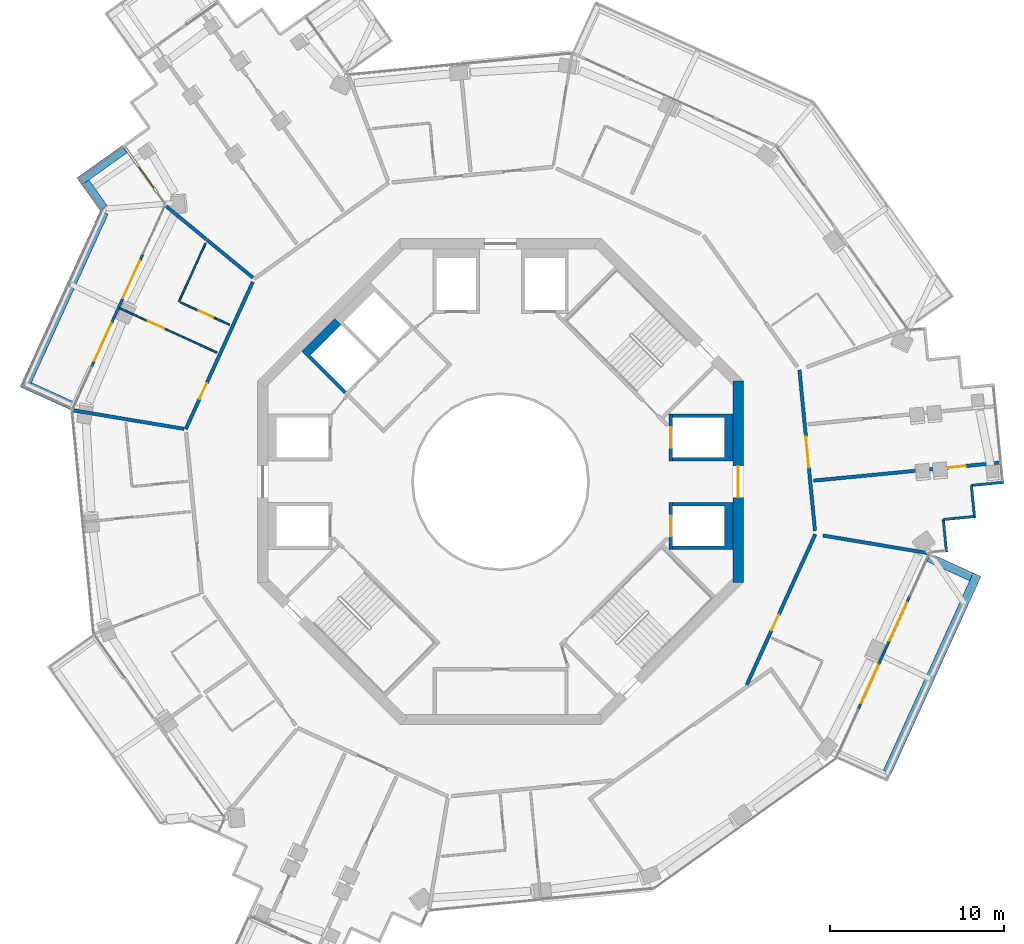
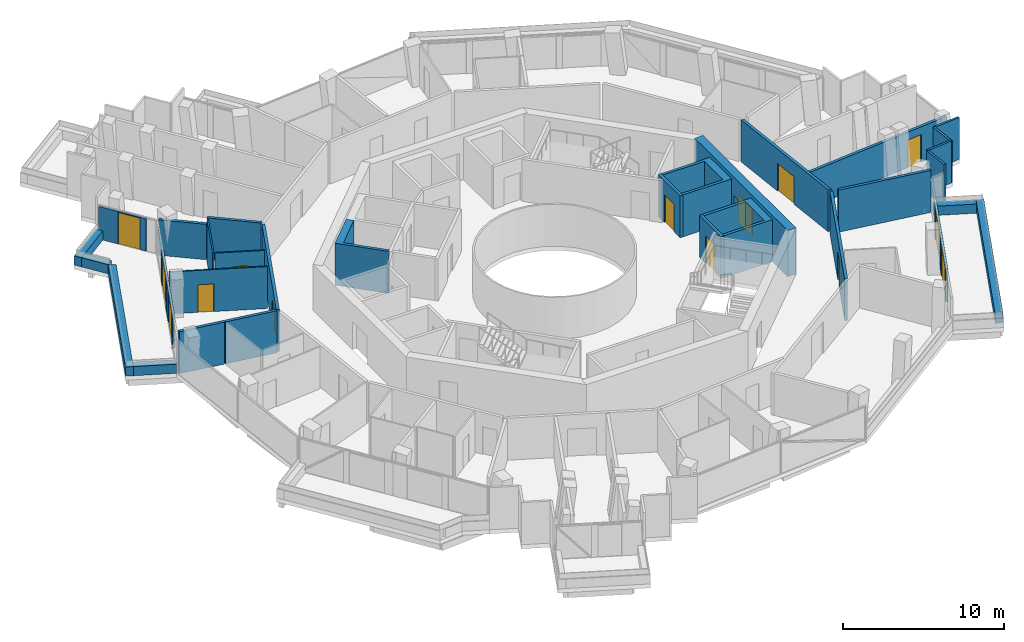
# One storey, part 17 of 22: 33 walls, 14 doors, 14 openings.
"""IFC4 building model written with IfcOpenShell, lengths in metres."""

from ifc_helpers import new_model, si_unit, direction, frame, frame_2d, origin, place, context, subcontext, project, spatial, polyline, rectangle, outline, extrude, material, layer, layer_set, type_object, element, fill, save


model = new_model("IFC4")

# Units and contexts
model_context = context("Model", 3, precision=1e-05, world=origin(), true_north=direction((0.0, 1.0)))
body_context = subcontext(model_context, "Body", "Model", "MODEL_VIEW")
ifc_project = project(units=[si_unit("LENGTHUNIT", "METRE"), si_unit("AREAUNIT", "SQUARE_METRE"), si_unit("VOLUMEUNIT", "CUBIC_METRE"), si_unit("PLANEANGLEUNIT", "RADIAN"), si_unit("MASSUNIT", "GRAM", prefix="KILO")], contexts=[model_context])

# Site, building, storey
site_placement = place(None, origin())
site = spatial("IfcSite", under=ifc_project, at=site_placement, CompositionType="ELEMENT")
building_placement = place(site_placement, origin())
building = spatial("IfcBuilding", under=site, at=building_placement, Name="Verdalira Terraces Hotel", CompositionType="ELEMENT")
storey_placement = place(building_placement, frame((0.0, 0.0, 180.0)))
storey = spatial("IfcBuildingStorey", under=building, at=storey_placement, Name="L43", CompositionType="ELEMENT", Elevation=180.0)

# Walls
ifc_material_1 = material(Name="Concrete C40", Category="concrete")
ifc_layer_1 = layer(ifc_material_1, 0.5)
ifc_layer_set_1 = layer_set([ifc_layer_1], Name="Balcony planter trough with tree")
wall_type_1 = type_object("IfcWallType", Name="Balcony planter trough with tree", PredefinedType="SOLIDWALL", material=ifc_layer_set_1)
wall_1_placement = place(storey_placement, frame((-21.660156, 19.154297, 0.0), z_axis=(0.0, 0.0, 1.0), x_axis=(-0.813882991, -0.581028808, 0.0)))
element("IfcWall", 1, at=wall_1_placement, inside=storey, type_object=wall_type_1, Name="Balcony planter", PredefinedType="SOLIDWALL", context=body_context, shape_type="SweptSolid", body=[
    extrude(rectangle(XDim=3.198975, YDim=0.5, at=frame_2d((1.599609, 0.0))), origin(), (0.0, 0.0, 1.0), 0.699951),
])
wall_2_placement = place(storey_placement, frame((-23.915039, 17.237549, 0.0), z_axis=(0.0, 0.0, 1.0), x_axis=(0.580971444, -0.813923941, 0.0)))
element("IfcWall", 2, at=wall_2_placement, inside=storey, type_object=wall_type_1, Name="Balcony planter", PredefinedType="SOLIDWALL", context=body_context, shape_type="SweptSolid", body=[
    extrude(rectangle(XDim=1.818359, YDim=0.5, at=frame_2d((0.90918, 0.0))), origin(), (0.0, 0.0, 1.0), 0.699951),
])
wall_3_placement = place(storey_placement, frame((-22.834473, 15.508789, 0.0), z_axis=(0.0, 0.0, 1.0), x_axis=(-0.41437848, -0.910104651, 0.0)))
element("IfcWall", 3, at=wall_3_placement, inside=storey, type_object=wall_type_1, Name="Balcony planter", PredefinedType="SOLIDWALL", context=body_context, shape_type="SweptSolid", body=[
    extrude(rectangle(XDim=11.152344, YDim=0.5, at=frame_2d((5.576172, 0.0))), origin(), (0.0, 0.0, 1.0), 0.699951),
])
wall_4_placement = place(storey_placement, frame((-27.124756, 5.482666, 0.0), z_axis=(0.0, 0.0, 1.0), x_axis=(0.910099871, -0.414388978, 0.0)))
element("IfcWall", 4, at=wall_4_placement, inside=storey, type_object=wall_type_1, Name="Balcony planter", PredefinedType="SOLIDWALL", context=body_context, shape_type="SweptSolid", body=[
    extrude(rectangle(XDim=2.698975, YDim=0.5, at=frame_2d((1.349609, 0.0))), origin(), (0.0, 0.0, 1.0), 0.699951),
])
wall_5_placement = place(storey_placement, frame((22.276123, -16.735107, 0.0), z_axis=(0.0, 0.0, 1.0), x_axis=(0.414378235, 0.910104762, 0.0)))
element("IfcWall", 5, at=wall_5_placement, inside=storey, type_object=wall_type_1, Name="Balcony planter", PredefinedType="SOLIDWALL", context=body_context, shape_type="SweptSolid", body=[
    extrude(rectangle(XDim=12.5, YDim=0.5, at=frame_2d((6.25, 0.0))), origin(), (0.0, 0.0, 1.0), 0.699951),
])
wall_6_placement = place(storey_placement, frame((27.124756, -5.482666, 0.0), z_axis=(0.0, 0.0, 1.0), x_axis=(-0.910099871, 0.414388978, 0.0)))
element("IfcWall", 6, at=wall_6_placement, inside=storey, type_object=wall_type_1, Name="Balcony planter", PredefinedType="SOLIDWALL", context=body_context, shape_type="SweptSolid", body=[
    extrude(rectangle(XDim=2.698975, YDim=0.5, at=frame_2d((1.349609, 0.0))), origin(), (0.0, 0.0, 1.0), 0.699951),
])

# Wall, opening, door
ifc_material_2 = material(Name="Moisture-resistant gypsum board partition")
ifc_layer_2 = layer(ifc_material_2, 0.10009765625)
ifc_layer_set_2 = layer_set([ifc_layer_2], Name="Bathroom partition 100 mm")
wall_type_2 = type_object("IfcWallType", Name="Bathroom partition 100 mm", PredefinedType="PARTITIONING", material=ifc_layer_set_2)
wall_7_placement = place(storey_placement, frame((-21.941162, 9.98999, 0.0), z_axis=(0.0, 0.0, 1.0), x_axis=(0.910095744, -0.41439804, 0.0)))
wall_7 = element("IfcWall", 7, at=wall_7_placement, inside=storey, type_object=wall_type_2, Name="Bathroom partition", PredefinedType="PARTITIONING", context=body_context, shape_type="SweptSolid", body=[
    extrude(rectangle(XDim=6.150146, YDim=0.100098, at=frame_2d((3.075195, 0.0))), origin(), (0.0, 0.0, 1.0), 3.189941),
])
opening_1_placement = place(wall_7_placement, frame((1.800049, 0.0, 0.0)))
opening_1 = element("IfcOpeningElement", 8, at=opening_1_placement, cuts=wall_7, Name="Opening L43-105", PredefinedType="OPENING", context=body_context, shape_type="SweptSolid", body=[
    extrude(rectangle(XDim=1.0, YDim=2.100098, at=frame_2d((0.5, 1.050049))), frame((0.0, 0.060059, 0.0), z_axis=(0.0, -1.0, 0.0), x_axis=(1.0, 0.0, 0.0)), (0.0, 0.0, 1.0), 0.120117),
])
ifc_material_3 = material(Name="Timber door", Category="wood")
door_type_1 = type_object("IfcDoorType", Name="Suite internal door 1000 x 2100", OperationType="NOTDEFINED", PredefinedType="DOOR", material=ifc_material_3)
door_1_placement = place(opening_1_placement, origin())
door_1 = element("IfcDoor", 9, at=door_1_placement, inside=storey, type_object=door_type_1, Name="Suite internal door 4302", OperationType="SINGLE_SWING_LEFT", OverallHeight=2.10009765625, OverallWidth=1.0, PredefinedType="DOOR", context=body_context, shape_type="SweptSolid", body=[
    extrude(rectangle(XDim=1.0, YDim=2.100098, at=frame_2d((0.5, 1.050049))), frame((0.0, 0.024902, 0.0), z_axis=(0.0, -1.0, 0.0), x_axis=(1.0, 0.0, 0.0)), (0.0, 0.0, 1.0), 0.050049),
])
fill(opening_1, door_1)

# Wall
wall_8_placement = place(storey_placement, frame((-16.99292, 13.73877, 0.0), z_axis=(0.0, 0.0, 1.0), x_axis=(-0.414354133, -0.910115736, 0.0)))
element("IfcWall", 10, at=wall_8_placement, inside=storey, type_object=wall_type_2, Name="Bathroom partition", PredefinedType="PARTITIONING", context=body_context, shape_type="SweptSolid", body=[
    extrude(rectangle(XDim=3.703857, YDim=0.100098, at=frame_2d((1.852051, 0.0))), origin(), (0.0, 0.0, 1.0), 3.189941),
])

# Wall, opening, door
wall_9_placement = place(storey_placement, frame((-18.436768, 10.326416, 0.0), z_axis=(0.0, 0.0, 1.0), x_axis=(0.910091174, -0.414408079, 0.0)))
wall_9 = element("IfcWall", 11, at=wall_9_placement, inside=storey, type_object=wall_type_2, Name="Bathroom partition", PredefinedType="PARTITIONING", context=body_context, shape_type="SweptSolid", body=[
    extrude(rectangle(XDim=3.100098, YDim=0.100098, at=frame_2d((1.550049, 0.0))), origin(), (0.0, 0.0, 1.0), 3.189941),
])
opening_2_placement = place(wall_9_placement, frame((1.149902, 0.0, 0.0)))
opening_2 = element("IfcOpeningElement", 12, at=opening_2_placement, cuts=wall_9, Name="Opening L43-106", PredefinedType="OPENING", context=body_context, shape_type="SweptSolid", body=[
    extrude(rectangle(XDim=0.899902, YDim=2.100098, at=frame_2d((0.449951, 1.050049))), frame((0.0, 0.060059, 0.0), z_axis=(0.0, -1.0, 0.0), x_axis=(1.0, 0.0, 0.0)), (0.0, 0.0, 1.0), 0.120117),
])
ifc_material_4 = material(Name="Timber door", Category="wood")
door_type_2 = type_object("IfcDoorType", Name="Bathroom door 900 x 2100", OperationType="NOTDEFINED", PredefinedType="DOOR", material=ifc_material_4)
door_2_placement = place(opening_2_placement, origin())
door_2 = element("IfcDoor", 13, at=door_2_placement, inside=storey, type_object=door_type_2, Name="Bathroom door 4302", OperationType="SINGLE_SWING_LEFT", OverallHeight=2.10009765625, OverallWidth=0.89990234375, PredefinedType="DOOR", context=body_context, shape_type="SweptSolid", body=[
    extrude(rectangle(XDim=0.899902, YDim=2.100098, at=frame_2d((0.449951, 1.050049))), frame((0.0, 0.024902, 0.0), z_axis=(0.0, -1.0, 0.0), x_axis=(1.0, 0.0, 0.0)), (0.0, 0.0, 1.0), 0.050049),
])
fill(opening_2, door_2)

# Wall
ifc_material_5 = material(Name="Concrete C50", Category="concrete")
ifc_layer_3 = layer(ifc_material_5, 0.199951171875)
ifc_layer_set_3 = layer_set([ifc_layer_3], Name="Core RC wall 200 C50")
wall_type_3 = type_object("IfcWallType", Name="Core RC wall 200 C50", PredefinedType="SOLIDWALL", material=ifc_layer_set_3)
wall_10_placement = place(storey_placement, origin())
element("IfcWall", 14, at=wall_10_placement, inside=storey, type_object=wall_type_3, Name="L43 shaft wall E1", PredefinedType="SOLIDWALL", context=body_context, shape_type="SweptSolid", body=[
    extrude(outline(polyline([(13.399902, -3.899902), (9.899902, -3.899902), (9.899902, -3.699951), (12.899902, -3.699951), (12.899902, -1.399902), (9.899902, -1.399902), (9.899902, -1.199951), (13.399902, -1.199951), (13.399902, -3.899902)])), origin(), (0.0, 0.0, 1.0), 3.189941),
])

# Wall, opening, door
wall_11_placement = place(storey_placement, frame((9.800049, -1.199951, 0.0), z_axis=(0.0, 0.0, 1.0), x_axis=(0.0, -1.0, 0.0)))
wall_11 = element("IfcWall", 15, at=wall_11_placement, inside=storey, type_object=wall_type_3, Name="L43 shaft front wall E1", PredefinedType="SOLIDWALL", context=body_context, shape_type="SweptSolid", body=[
    extrude(rectangle(XDim=2.699951, YDim=0.199951, at=frame_2d((1.350098, 0.0))), origin(), (0.0, 0.0, 1.0), 3.189941),
])
opening_3_placement = place(wall_11_placement, frame((0.75, 0.0, 0.0)))
opening_3 = element("IfcOpeningElement", 16, at=opening_3_placement, cuts=wall_11, Name="Opening LD-L43-802", PredefinedType="OPENING", context=body_context, shape_type="SweptSolid", body=[
    extrude(rectangle(XDim=1.199951, YDim=2.100098, at=frame_2d((0.600098, 1.050049))), frame((0.0, 0.109863, 0.0), z_axis=(0.0, -1.0, 0.0), x_axis=(1.0, 0.0, 0.0)), (0.0, 0.0, 1.0), 0.219971),
])
ifc_material_6 = material(Name="Stainless steel", Category="steel")
door_type_3 = type_object("IfcDoorType", Name="Landing door 1200 x 2100", OperationType="NOTDEFINED", PredefinedType="DOOR", material=ifc_material_6)
door_3_placement = place(opening_3_placement, origin())
door_3 = element("IfcDoor", 17, at=door_3_placement, inside=storey, type_object=door_type_3, Name="Lift landing door HR1 L43", OperationType="DOUBLE_DOOR_SLIDING", OverallHeight=2.10009765625, OverallWidth=1.199951171875, PredefinedType="DOOR", context=body_context, shape_type="SweptSolid", body=[
    extrude(rectangle(XDim=1.199951, YDim=2.100098, at=frame_2d((0.600098, 1.050049))), frame((0.0, 0.024902, 0.0), z_axis=(0.0, -1.0, 0.0), x_axis=(1.0, 0.0, 0.0)), (0.0, 0.0, 1.0), 0.050049),
])
fill(opening_3, door_3)

# Wall
wall_12_placement = place(storey_placement, origin())
element("IfcWall", 18, at=wall_12_placement, inside=storey, type_object=wall_type_3, Name="L43 shaft wall E2", PredefinedType="SOLIDWALL", context=body_context, shape_type="SweptSolid", body=[
    extrude(outline(polyline([(13.399902, 3.899902), (13.399902, 1.199951), (9.899902, 1.199951), (9.899902, 1.399902), (12.899902, 1.399902), (12.899902, 3.699951), (9.899902, 3.699951), (9.899902, 3.899902), (13.399902, 3.899902)])), origin(), (0.0, 0.0, 1.0), 3.189941),
])

# Wall, opening, door
wall_13_placement = place(storey_placement, frame((9.800049, 1.199951, 0.0), z_axis=(0.0, 0.0, 1.0), x_axis=(0.0, 1.0, 0.0)))
wall_13 = element("IfcWall", 19, at=wall_13_placement, inside=storey, type_object=wall_type_3, Name="L43 shaft front wall E2", PredefinedType="SOLIDWALL", context=body_context, shape_type="SweptSolid", body=[
    extrude(rectangle(XDim=2.699951, YDim=0.199951, at=frame_2d((1.350098, 0.0))), origin(), (0.0, 0.0, 1.0), 3.189941),
])
opening_4_placement = place(wall_13_placement, frame((0.75, 0.0, 0.0)))
opening_4 = element("IfcOpeningElement", 20, at=opening_4_placement, cuts=wall_13, Name="Opening LD-L43-803", PredefinedType="OPENING", context=body_context, shape_type="SweptSolid", body=[
    extrude(rectangle(XDim=1.199951, YDim=2.100098, at=frame_2d((0.600098, 1.050049))), frame((0.0, 0.109863, 0.0), z_axis=(0.0, -1.0, 0.0), x_axis=(1.0, 0.0, 0.0)), (0.0, 0.0, 1.0), 0.219971),
])
door_4_placement = place(opening_4_placement, origin())
door_4 = element("IfcDoor", 21, at=door_4_placement, inside=storey, type_object=door_type_3, Name="Lift landing door HR2 L43", OperationType="DOUBLE_DOOR_SLIDING", OverallHeight=2.10009765625, OverallWidth=1.199951171875, PredefinedType="DOOR", context=body_context, shape_type="SweptSolid", body=[
    extrude(rectangle(XDim=1.199951, YDim=2.100098, at=frame_2d((0.600098, 1.050049))), frame((0.0, 0.024902, 0.0), z_axis=(0.0, -1.0, 0.0), x_axis=(1.0, 0.0, 0.0)), (0.0, 0.0, 1.0), 0.050049),
])
fill(opening_4, door_4)

# Wall
wall_14_placement = place(storey_placement, origin())
element("IfcWall", 22, at=wall_14_placement, inside=storey, type_object=wall_type_3, Name="L43 shaft wall F2", PredefinedType="SOLIDWALL", context=body_context, shape_type="SweptSolid", body=[
    extrude(outline(polyline([(-11.455078, 7.495361), (-9.545898, 9.404541), (-9.192383, 9.051025), (-10.960205, 7.283203), (-8.874268, 5.197266), (-9.015625, 5.055908), (-11.455078, 7.495361)])), origin(), (0.0, 0.0, 1.0), 3.189941),
])

# Wall, opening, door
ifc_material_7 = material(Name="Concrete C60", Category="concrete")
ifc_layer_4 = layer(ifc_material_7, 0.60009765625)
ifc_layer_set_4 = layer_set([ifc_layer_4], Name="Core wall 600 C60")
wall_type_4 = type_object("IfcWallType", Name="Core wall 600 C60", PredefinedType="SHEAR", material=ifc_layer_set_4)
wall_15_placement = place(storey_placement, frame((13.699951, -5.799072, 0.0), z_axis=(0.0, 0.0, 1.0), x_axis=(0.0, 1.0, 0.0)))
wall_15 = element("IfcWall", 23, at=wall_15_placement, inside=storey, type_object=wall_type_4, Name="Core wall CW-L43-1", PredefinedType="SHEAR", context=body_context, shape_type="SweptSolid", body=[
    extrude(rectangle(XDim=11.598145, YDim=0.600098, at=frame_2d((5.799072, 0.0))), origin(), (0.0, 0.0, 1.0), 3.5),
])
opening_5_placement = place(wall_15_placement, frame((4.898926, 0.0, 0.0)))
opening_5 = element("IfcOpeningElement", 24, at=opening_5_placement, cuts=wall_15, Name="Opening L43-813", PredefinedType="OPENING", context=body_context, shape_type="SweptSolid", body=[
    extrude(rectangle(XDim=1.800049, YDim=2.100098, at=frame_2d((0.899902, 1.050049))), frame((0.0, 0.310059, 0.0), z_axis=(0.0, -1.0, 0.0), x_axis=(1.0, 0.0, 0.0)), (0.0, 0.0, 1.0), 0.620117),
])
ifc_material_8 = material(Name="Steel fire door", Category="steel")
door_type_4 = type_object("IfcDoorType", Name="Core entry door pair 1800 x 2100", OperationType="NOTDEFINED", PredefinedType="DOOR", material=ifc_material_8)
door_5_placement = place(opening_5_placement, origin())
door_5 = element("IfcDoor", 25, at=door_5_placement, inside=storey, type_object=door_type_4, Name="Core entry door L43 0", OperationType="DOUBLE_DOOR_SINGLE_SWING", OverallHeight=2.10009765625, OverallWidth=1.800048828125, PredefinedType="DOOR", context=body_context, shape_type="SweptSolid", body=[
    extrude(rectangle(XDim=1.800049, YDim=2.100098, at=frame_2d((0.899902, 1.050049))), frame((0.0, 0.024902, 0.0), z_axis=(0.0, -1.0, 0.0), x_axis=(1.0, 0.0, 0.0)), (0.0, 0.0, 1.0), 0.050049),
])
fill(opening_5, door_5)

# Walls
ifc_material_9 = material(Name="Fire-rated gypsum board wall")
ifc_layer_5 = layer(ifc_material_9, 0.199951171875)
ifc_layer_set_5 = layer_set([ifc_layer_5], Name="Demising wall 200 mm")
wall_type_5 = type_object("IfcWallType", Name="Demising wall 200 mm", PredefinedType="SOLIDWALL", material=ifc_layer_set_5)
wall_16_placement = place(storey_placement, frame((-21.652832, 3.615723, 0.0), z_axis=(0.0, 0.0, 1.0), x_axis=(-0.986336894, 0.1647408, 0.0)))
element("IfcWall", 26, at=wall_16_placement, inside=storey, type_object=wall_type_5, Name="Demising wall", PredefinedType="SOLIDWALL", context=body_context, shape_type="SweptSolid", body=[
    extrude(rectangle(XDim=3.011475, YDim=0.199951, at=frame_2d((1.505859, 0.0))), origin(), (0.0, 0.0, 1.0), 3.189941),
])
wall_17_placement = place(storey_placement, frame((-18.23584, 3.045166, 0.0), z_axis=(0.0, 0.0, 1.0), x_axis=(-0.986343689, 0.164700112, 0.0)))
element("IfcWall", 27, at=wall_17_placement, inside=storey, type_object=wall_type_5, Name="Demising wall", PredefinedType="SOLIDWALL", context=body_context, shape_type="SweptSolid", body=[
    extrude(rectangle(XDim=3.418213, YDim=0.199951, at=frame_2d((1.708984, 0.0))), origin(), (0.0, 0.0, 1.0), 3.189941),
])
wall_18_placement = place(storey_placement, frame((-14.27002, 11.754883, 0.0), z_axis=(0.0, 0.0, 1.0), x_axis=(-0.771849833, 0.635804872, 0.0)))
element("IfcWall", 28, at=wall_18_placement, inside=storey, type_object=wall_type_5, Name="Demising wall", PredefinedType="SOLIDWALL", context=body_context, shape_type="SweptSolid", body=[
    extrude(rectangle(XDim=3.418701, YDim=0.199951, at=frame_2d((1.709473, 0.0))), origin(), (0.0, 0.0, 1.0), 3.189941),
])
wall_19_placement = place(storey_placement, frame((24.623047, -4.111816, 0.0), z_axis=(0.0, 0.0, 1.0), x_axis=(-0.986342225, 0.16470888, 0.0)))
element("IfcWall", 29, at=wall_19_placement, inside=storey, type_object=wall_type_5, Name="Demising wall", PredefinedType="SOLIDWALL", context=body_context, shape_type="SweptSolid", body=[
    extrude(rectangle(XDim=6.13208, YDim=0.199951, at=frame_2d((3.065918, 0.0))), origin(), (0.0, 0.0, 1.0), 3.189941),
])
ifc_material_10 = material(Name="Fire-rated gypsum board wall")
ifc_layer_6 = layer(ifc_material_10, 0.199951171875)
ifc_layer_set_6 = layer_set([ifc_layer_6], Name="Demising wall 200 mm to beam soffit")
wall_type_6 = type_object("IfcWallType", Name="Demising wall 200 mm to beam soffit", PredefinedType="SOLIDWALL", material=ifc_layer_set_6)
wall_20_placement = place(storey_placement, frame((-16.944092, 13.957764, 0.0), z_axis=(0.0, 0.0, 1.0), x_axis=(-0.771850657, 0.635803871, 0.0)))
element("IfcWall", 30, at=wall_20_placement, inside=storey, type_object=wall_type_6, Name="Demising wall", PredefinedType="SOLIDWALL", context=body_context, shape_type="SweptSolid", body=[
    extrude(rectangle(XDim=3.01123, YDim=0.199951, at=frame_2d((1.505615, 0.0))), origin(), (0.0, 0.0, 1.0), 2.689941),
])

# Wall, opening, door
wall_21_placement = place(storey_placement, frame((28.736328, 1.09375, 0.0), z_axis=(0.0, 0.0, 1.0), x_axis=(-0.995361806, -0.096202259, 0.0)))
wall_21 = element("IfcWall", 31, at=wall_21_placement, inside=storey, type_object=wall_type_6, Name="Demising wall", PredefinedType="SOLIDWALL", context=body_context, shape_type="SweptSolid", body=[
    extrude(rectangle(XDim=10.75, YDim=0.199951, at=frame_2d((5.375, 0.0))), origin(), (0.0, 0.0, 1.0), 2.689941),
])
opening_6_placement = place(wall_21_placement, frame((1.949951, 0.0, 0.0)))
opening_6 = element("IfcOpeningElement", 32, at=opening_6_placement, cuts=wall_21, Name="Opening L43-123", PredefinedType="OPENING", context=body_context, shape_type="SweptSolid", body=[
    extrude(rectangle(XDim=1.0, YDim=2.100098, at=frame_2d((0.5, 1.050049))), frame((0.0, 0.109863, 0.0), z_axis=(0.0, -1.0, 0.0), x_axis=(1.0, 0.0, 0.0)), (0.0, 0.0, 1.0), 0.219971),
])
ifc_material_11 = material(Name="Timber fire door", Category="wood")
door_type_5 = type_object("IfcDoorType", Name="Public room door 1000 x 2100", OperationType="NOTDEFINED", PredefinedType="DOOR", material=ifc_material_11)
door_6_placement = place(opening_6_placement, origin())
door_6 = element("IfcDoor", 33, at=door_6_placement, inside=storey, type_object=door_type_5, Name="Public room door 4308", OperationType="SINGLE_SWING_LEFT", OverallHeight=2.10009765625, OverallWidth=1.0, PredefinedType="DOOR", context=body_context, shape_type="SweptSolid", body=[
    extrude(rectangle(XDim=1.0, YDim=2.100098, at=frame_2d((0.5, 1.050049))), frame((0.0, 0.024902, 0.0), z_axis=(0.0, -1.0, 0.0), x_axis=(1.0, 0.0, 0.0)), (0.0, 0.0, 1.0), 0.050049),
])
fill(opening_6, door_6)

ifc_material_12 = material(Name="Fire-rated gypsum board wall")
ifc_layer_7 = layer(ifc_material_12, 0.199951171875)
ifc_layer_set_7 = layer_set([ifc_layer_7], Name="Guest corridor wall 200 mm")
wall_type_7 = type_object("IfcWallType", Name="Guest corridor wall 200 mm", PredefinedType="SOLIDWALL", material=ifc_layer_set_7)
wall_22_placement = place(storey_placement, frame((-18.133789, 3.028076, 0.0), z_axis=(0.0, 0.0, 1.0), x_axis=(0.414381347, 0.910103345, 0.0)))
wall_22 = element("IfcWall", 34, at=wall_22_placement, inside=storey, type_object=wall_type_7, Name="Guest corridor wall", PredefinedType="SOLIDWALL", context=body_context, shape_type="SweptSolid", body=[
    extrude(rectangle(XDim=9.31665, YDim=0.199951, at=frame_2d((4.658203, 0.0))), origin(), (0.0, 0.0, 1.0), 3.189941),
])
opening_7_placement = place(wall_22_placement, frame((1.899902, 0.0, 0.0)))
opening_7 = element("IfcOpeningElement", 35, at=opening_7_placement, cuts=wall_22, Name="Opening L43-104", PredefinedType="OPENING", context=body_context, shape_type="SweptSolid", body=[
    extrude(rectangle(XDim=1.0, YDim=2.100098, at=frame_2d((0.5, 1.050049))), frame((0.0, 0.109863, 0.0), z_axis=(0.0, -1.0, 0.0), x_axis=(1.0, 0.0, 0.0)), (0.0, 0.0, 1.0), 0.219971),
])
ifc_material_13 = material(Name="Timber fire door", Category="wood")
door_type_6 = type_object("IfcDoorType", Name="Guest entry door 1000 x 2100", OperationType="NOTDEFINED", PredefinedType="DOOR", material=ifc_material_13)
door_7_placement = place(opening_7_placement, origin())
door_7 = element("IfcDoor", 36, at=door_7_placement, inside=storey, type_object=door_type_6, Name="Guest entry door 4302", OperationType="SINGLE_SWING_LEFT", OverallHeight=2.10009765625, OverallWidth=1.0, PredefinedType="DOOR", context=body_context, shape_type="SweptSolid", body=[
    extrude(rectangle(XDim=1.0, YDim=2.100098, at=frame_2d((0.5, 1.050049))), frame((0.0, 0.024902, 0.0), z_axis=(0.0, -1.0, 0.0), x_axis=(1.0, 0.0, 0.0)), (0.0, 0.0, 1.0), 0.050049),
])
fill(opening_7, door_7)

wall_23_placement = place(storey_placement, frame((18.133789, -3.028076, 0.0), z_axis=(0.0, 0.0, 1.0), x_axis=(-0.414385345, -0.910101525, 0.0)))
wall_23 = element("IfcWall", 37, at=wall_23_placement, inside=storey, type_object=wall_type_7, Name="Guest corridor wall", PredefinedType="SOLIDWALL", context=body_context, shape_type="SweptSolid", body=[
    extrude(rectangle(XDim=9.536865, YDim=0.199951, at=frame_2d((4.768555, 0.0))), origin(), (0.0, 0.0, 1.0), 3.189941),
])
opening_8_placement = place(wall_23_placement, frame((5.100098, 0.0, 0.0)))
opening_8 = element("IfcOpeningElement", 38, at=opening_8_placement, cuts=wall_23, Name="Opening L43-120", PredefinedType="OPENING", context=body_context, shape_type="SweptSolid", body=[
    extrude(rectangle(XDim=1.0, YDim=2.100098, at=frame_2d((0.5, 1.050049))), frame((0.0, 0.109863, 0.0), z_axis=(0.0, -1.0, 0.0), x_axis=(1.0, 0.0, 0.0)), (0.0, 0.0, 1.0), 0.219971),
])
door_8_placement = place(opening_8_placement, origin())
door_8 = element("IfcDoor", 39, at=door_8_placement, inside=storey, type_object=door_type_6, Name="Guest entry door 4307", OperationType="SINGLE_SWING_LEFT", OverallHeight=2.10009765625, OverallWidth=1.0, PredefinedType="DOOR", context=body_context, shape_type="SweptSolid", body=[
    extrude(rectangle(XDim=1.0, YDim=2.100098, at=frame_2d((0.5, 1.050049))), frame((0.0, 0.024902, 0.0), z_axis=(0.0, -1.0, 0.0), x_axis=(1.0, 0.0, 0.0)), (0.0, 0.0, 1.0), 0.050049),
])
fill(opening_8, door_8)

wall_24_placement = place(storey_placement, frame((17.218262, 6.44458, 0.0), z_axis=(0.0, 0.0, 1.0), x_axis=(0.096195227, -0.995362486, 0.0)))
wall_24 = element("IfcWall", 40, at=wall_24_placement, inside=storey, type_object=wall_type_7, Name="Guest corridor wall", PredefinedType="SOLIDWALL", context=body_context, shape_type="SweptSolid", body=[
    extrude(rectangle(XDim=9.316895, YDim=0.199951, at=frame_2d((4.658447, 0.0))), origin(), (0.0, 0.0, 1.0), 3.189941),
])
opening_9_placement = place(wall_24_placement, frame((3.869385, 0.0, 0.0)))
opening_9 = element("IfcOpeningElement", 41, at=opening_9_placement, cuts=wall_24, Name="Opening L43-122", PredefinedType="OPENING", context=body_context, shape_type="SweptSolid", body=[
    extrude(rectangle(XDim=1.800049, YDim=2.100098, at=frame_2d((0.899902, 1.050049))), frame((0.0, 0.109863, 0.0), z_axis=(0.0, -1.0, 0.0), x_axis=(1.0, 0.0, 0.0)), (0.0, 0.0, 1.0), 0.219971),
])
ifc_material_14 = material(Name="Timber fire door", Category="wood")
door_type_7 = type_object("IfcDoorType", Name="Public room double door 1800 x 2100", OperationType="NOTDEFINED", PredefinedType="DOOR", material=ifc_material_14)
door_9_placement = place(opening_9_placement, origin())
door_9 = element("IfcDoor", 42, at=door_9_placement, inside=storey, type_object=door_type_7, Name="Public room double door 4308", OperationType="DOUBLE_DOOR_SINGLE_SWING", OverallHeight=2.10009765625, OverallWidth=1.800048828125, PredefinedType="DOOR", context=body_context, shape_type="SweptSolid", body=[
    extrude(rectangle(XDim=1.800049, YDim=2.100098, at=frame_2d((0.899902, 1.050049))), frame((0.0, 0.024902, 0.0), z_axis=(0.0, -1.0, 0.0), x_axis=(1.0, 0.0, 0.0)), (0.0, 0.0, 1.0), 0.050049),
])
fill(opening_9, door_9)

# Walls
ifc_material_15 = material(Name="Terracotta cladding", Category="masonry")
ifc_layer_8 = layer(ifc_material_15, 0.14990234375)
ifc_layer_set_8 = layer_set([ifc_layer_8], Name="Terracotta clad wall 150")
wall_type_8 = type_object("IfcWallType", Name="Terracotta clad wall 150", PredefinedType="SOLIDWALL", material=ifc_layer_set_8)
wall_25_placement = place(storey_placement, frame((25.691895, -4.047363, 0.0), z_axis=(0.0, 0.0, 1.0), x_axis=(-0.09622848, 0.995359272, 0.0)))
element("IfcWall", 43, at=wall_25_placement, inside=storey, type_object=wall_type_8, Name="Terracotta cladding wall", PredefinedType="SOLIDWALL", context=body_context, shape_type="SweptSolid", body=[
    extrude(rectangle(XDim=1.875, YDim=0.149902, at=frame_2d((0.9375, 0.0))), origin(), (0.0, 0.0, 1.0), 3.189941),
])
wall_26_placement = place(storey_placement, frame((25.511475, -2.181152, 0.0), z_axis=(0.0, 0.0, 1.0), x_axis=(0.995364685, 0.096172467, 0.0)))
element("IfcWall", 44, at=wall_26_placement, inside=storey, type_object=wall_type_8, Name="Terracotta cladding wall", PredefinedType="SOLIDWALL", context=body_context, shape_type="SweptSolid", body=[
    extrude(rectangle(XDim=1.799805, YDim=0.149902, at=frame_2d((0.899902, 0.0))), origin(), (0.0, 0.0, 1.0), 3.189941),
])
wall_27_placement = place(storey_placement, frame((27.310303, -2.08252, 0.0), z_axis=(0.0, 0.0, 1.0), x_axis=(-0.09622848, 0.995359272, 0.0)))
element("IfcWall", 45, at=wall_27_placement, inside=storey, type_object=wall_type_8, Name="Terracotta cladding wall", PredefinedType="SOLIDWALL", context=body_context, shape_type="SweptSolid", body=[
    extrude(rectangle(XDim=1.875, YDim=0.149902, at=frame_2d((0.9375, 0.0))), origin(), (0.0, 0.0, 1.0), 3.189941),
])
wall_28_placement = place(storey_placement, frame((27.129883, -0.216309, 0.0), z_axis=(0.0, 0.0, 1.0), x_axis=(0.995360477, 0.09621601, 0.0)))
element("IfcWall", 46, at=wall_28_placement, inside=storey, type_object=wall_type_8, Name="Terracotta cladding wall", PredefinedType="SOLIDWALL", context=body_context, shape_type="SweptSolid", body=[
    extrude(rectangle(XDim=1.875244, YDim=0.149902, at=frame_2d((0.9375, 0.0))), origin(), (0.0, 0.0, 1.0), 3.189941),
])

# Wall, opening, door
ifc_material_16 = material(Name="Terracotta cladding", Category="masonry")
ifc_layer_9 = layer(ifc_material_16, 0.14990234375)
ifc_layer_set_9 = layer_set([ifc_layer_9], Name="Terracotta door pier 150")
wall_type_9 = type_object("IfcWallType", Name="Terracotta door pier 150", PredefinedType="SOLIDWALL", material=ifc_layer_set_9)
wall_29_placement = place(storey_placement, frame((-21.615723, 19.2229, 0.0), z_axis=(0.0, 0.0, 1.0), x_axis=(0.580995113, -0.813907046, 0.0)))
wall_29 = element("IfcWall", 47, at=wall_29_placement, inside=storey, type_object=wall_type_9, Name="Terracotta door pier", PredefinedType="SOLIDWALL", context=body_context, shape_type="SweptSolid", body=[
    extrude(rectangle(XDim=3.230469, YDim=0.149902, at=frame_2d((1.615234, 0.0))), origin(), (0.0, 0.0, 1.0), 2.475098),
])
opening_10_placement = place(wall_29_placement, frame((1.330322, 0.0, 0.0)))
opening_10 = element("IfcOpeningElement", 48, at=opening_10_placement, cuts=wall_29, Name="Opening L43-B03", PredefinedType="OPENING", context=body_context, shape_type="SweptSolid", body=[
    extrude(rectangle(XDim=1.5, YDim=2.399902, at=frame_2d((0.75, 1.199951))), frame((0.0, 0.084961, 0.0), z_axis=(0.0, -1.0, 0.0), x_axis=(1.0, 0.0, 0.0)), (0.0, 0.0, 1.0), 0.169922),
])
ifc_material_17 = material(Name="Clear glass", Category="glass")
door_type_8 = type_object("IfcDoorType", Name="Balcony sliding door 1500x2400", OperationType="NOTDEFINED", PredefinedType="DOOR", material=ifc_material_17)
door_10_placement = place(opening_10_placement, origin())
door_10 = element("IfcDoor", 49, at=door_10_placement, inside=storey, type_object=door_type_8, Name="Balcony sliding door", OperationType="SLIDING_TO_LEFT", OverallHeight=2.39990234375, OverallWidth=1.5, PredefinedType="DOOR", context=body_context, shape_type="SweptSolid", body=[
    extrude(rectangle(XDim=1.5, YDim=2.399902, at=frame_2d((0.75, 1.199951))), frame((0.0, 0.024902, 0.0), z_axis=(0.0, -1.0, 0.0), x_axis=(1.0, 0.0, 0.0)), (0.0, 0.0, 1.0), 0.050049),
])
fill(opening_10, door_10)

wall_30_placement = place(storey_placement, frame((-20.600586, 13.115234, 0.0), z_axis=(0.0, 0.0, 1.0), x_axis=(-0.414343906, -0.910120392, 0.0)))
wall_30 = element("IfcWall", 50, at=wall_30_placement, inside=storey, type_object=wall_type_9, Name="Terracotta door pier", PredefinedType="SOLIDWALL", context=body_context, shape_type="SweptSolid", body=[
    extrude(rectangle(XDim=3.399902, YDim=0.149902, at=frame_2d((1.699951, 0.0))), origin(), (0.0, 0.0, 1.0), 2.475098),
])
opening_11_placement = place(wall_30_placement, frame((0.399902, 0.0, 0.0)))
opening_11 = element("IfcOpeningElement", 51, at=opening_11_placement, cuts=wall_30, Name="Opening L43-B04", PredefinedType="OPENING", context=body_context, shape_type="SweptSolid", body=[
    extrude(rectangle(XDim=2.399902, YDim=2.399902, at=frame_2d((1.199951, 1.199951))), frame((0.0, 0.084961, 0.0), z_axis=(0.0, -1.0, 0.0), x_axis=(1.0, 0.0, 0.0)), (0.0, 0.0, 1.0), 0.169922),
])
ifc_material_18 = material(Name="Clear glass", Category="glass")
door_type_9 = type_object("IfcDoorType", Name="Balcony sliding door 2400x2400", OperationType="NOTDEFINED", PredefinedType="DOOR", material=ifc_material_18)
door_11_placement = place(opening_11_placement, origin())
door_11 = element("IfcDoor", 52, at=door_11_placement, inside=storey, type_object=door_type_9, Name="Balcony sliding door", OperationType="SLIDING_TO_RIGHT", OverallHeight=2.39990234375, OverallWidth=2.39990234375, PredefinedType="DOOR", context=body_context, shape_type="SweptSolid", body=[
    extrude(rectangle(XDim=2.399902, YDim=2.399902, at=frame_2d((1.199951, 1.199951))), frame((0.0, 0.024902, 0.0), z_axis=(0.0, -1.0, 0.0), x_axis=(1.0, 0.0, 0.0)), (0.0, 0.0, 1.0), 0.050049),
])
fill(opening_11, door_11)

wall_31_placement = place(storey_placement, frame((-22.009277, 10.020996, 0.0), z_axis=(0.0, 0.0, 1.0), x_axis=(-0.414384826, -0.910101761, 0.0)))
wall_31 = element("IfcWall", 53, at=wall_31_placement, inside=storey, type_object=wall_type_9, Name="Terracotta door pier", PredefinedType="SOLIDWALL", context=body_context, shape_type="SweptSolid", body=[
    extrude(rectangle(XDim=3.76123, YDim=0.149902, at=frame_2d((1.880615, 0.0))), origin(), (0.0, 0.0, 1.0), 2.475098),
])
opening_12_placement = place(wall_31_placement, frame((0.961182, 0.0, 0.0)))
opening_12 = element("IfcOpeningElement", 54, at=opening_12_placement, cuts=wall_31, Name="Opening L43-B05", PredefinedType="OPENING", context=body_context, shape_type="SweptSolid", body=[
    extrude(rectangle(XDim=2.399902, YDim=2.399902, at=frame_2d((1.199951, 1.199951))), frame((0.0, 0.084961, 0.0), z_axis=(0.0, -1.0, 0.0), x_axis=(1.0, 0.0, 0.0)), (0.0, 0.0, 1.0), 0.169922),
])
door_12_placement = place(opening_12_placement, origin())
door_12 = element("IfcDoor", 55, at=door_12_placement, inside=storey, type_object=door_type_9, Name="Balcony sliding door", OperationType="SLIDING_TO_LEFT", OverallHeight=2.39990234375, OverallWidth=2.39990234375, PredefinedType="DOOR", context=body_context, shape_type="SweptSolid", body=[
    extrude(rectangle(XDim=2.399902, YDim=2.399902, at=frame_2d((1.199951, 1.199951))), frame((0.0, 0.024902, 0.0), z_axis=(0.0, -1.0, 0.0), x_axis=(1.0, 0.0, 0.0)), (0.0, 0.0, 1.0), 0.050049),
])
fill(opening_12, door_12)

wall_32_placement = place(storey_placement, frame((20.600586, -13.115234, 0.0), z_axis=(0.0, 0.0, 1.0), x_axis=(0.414343906, 0.910120392, 0.0)))
wall_32 = element("IfcWall", 56, at=wall_32_placement, inside=storey, type_object=wall_type_9, Name="Terracotta door pier", PredefinedType="SOLIDWALL", context=body_context, shape_type="SweptSolid", body=[
    extrude(rectangle(XDim=3.399902, YDim=0.149902, at=frame_2d((1.699951, 0.0))), origin(), (0.0, 0.0, 1.0), 2.475098),
])
opening_13_placement = place(wall_32_placement, frame((0.399902, 0.0, 0.0)))
opening_13 = element("IfcOpeningElement", 57, at=opening_13_placement, cuts=wall_32, Name="Opening L43-B09", PredefinedType="OPENING", context=body_context, shape_type="SweptSolid", body=[
    extrude(rectangle(XDim=2.399902, YDim=2.399902, at=frame_2d((1.199951, 1.199951))), frame((0.0, 0.084961, 0.0), z_axis=(0.0, -1.0, 0.0), x_axis=(1.0, 0.0, 0.0)), (0.0, 0.0, 1.0), 0.169922),
])
door_13_placement = place(opening_13_placement, origin())
door_13 = element("IfcDoor", 58, at=door_13_placement, inside=storey, type_object=door_type_9, Name="Balcony sliding door", OperationType="SLIDING_TO_RIGHT", OverallHeight=2.39990234375, OverallWidth=2.39990234375, PredefinedType="DOOR", context=body_context, shape_type="SweptSolid", body=[
    extrude(rectangle(XDim=2.399902, YDim=2.399902, at=frame_2d((1.199951, 1.199951))), frame((0.0, 0.024902, 0.0), z_axis=(0.0, -1.0, 0.0), x_axis=(1.0, 0.0, 0.0)), (0.0, 0.0, 1.0), 0.050049),
])
fill(opening_13, door_13)

wall_33_placement = place(storey_placement, frame((22.009277, -10.020996, 0.0), z_axis=(0.0, 0.0, 1.0), x_axis=(0.414384826, 0.910101761, 0.0)))
wall_33 = element("IfcWall", 59, at=wall_33_placement, inside=storey, type_object=wall_type_9, Name="Terracotta door pier", PredefinedType="SOLIDWALL", context=body_context, shape_type="SweptSolid", body=[
    extrude(rectangle(XDim=3.76123, YDim=0.149902, at=frame_2d((1.880615, 0.0))), origin(), (0.0, 0.0, 1.0), 2.475098),
])
opening_14_placement = place(wall_33_placement, frame((0.961182, 0.0, 0.0)))
opening_14 = element("IfcOpeningElement", 60, at=opening_14_placement, cuts=wall_33, Name="Opening L43-B10", PredefinedType="OPENING", context=body_context, shape_type="SweptSolid", body=[
    extrude(rectangle(XDim=2.399902, YDim=2.399902, at=frame_2d((1.199951, 1.199951))), frame((0.0, 0.084961, 0.0), z_axis=(0.0, -1.0, 0.0), x_axis=(1.0, 0.0, 0.0)), (0.0, 0.0, 1.0), 0.169922),
])
door_14_placement = place(opening_14_placement, origin())
door_14 = element("IfcDoor", 61, at=door_14_placement, inside=storey, type_object=door_type_9, Name="Balcony sliding door", OperationType="SLIDING_TO_LEFT", OverallHeight=2.39990234375, OverallWidth=2.39990234375, PredefinedType="DOOR", context=body_context, shape_type="SweptSolid", body=[
    extrude(rectangle(XDim=2.399902, YDim=2.399902, at=frame_2d((1.199951, 1.199951))), frame((0.0, 0.024902, 0.0), z_axis=(0.0, -1.0, 0.0), x_axis=(1.0, 0.0, 0.0)), (0.0, 0.0, 1.0), 0.050049),
])
fill(opening_14, door_14)

save(model, "model.ifc")
